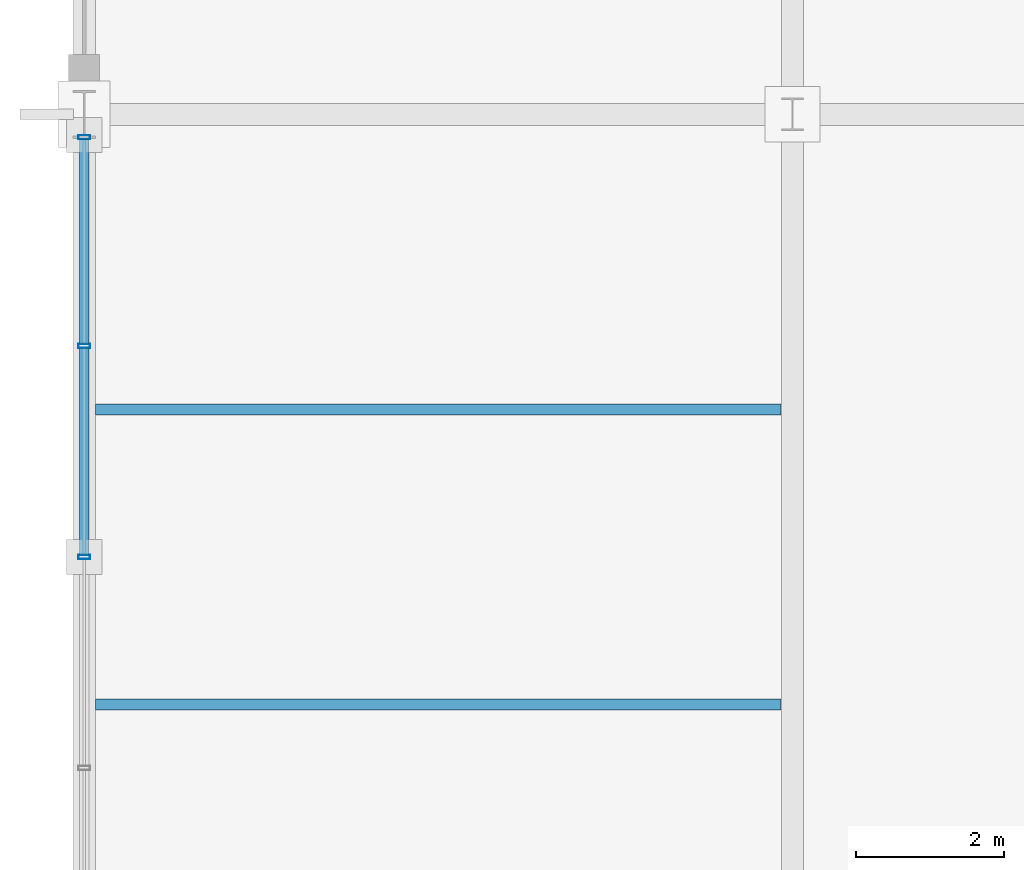
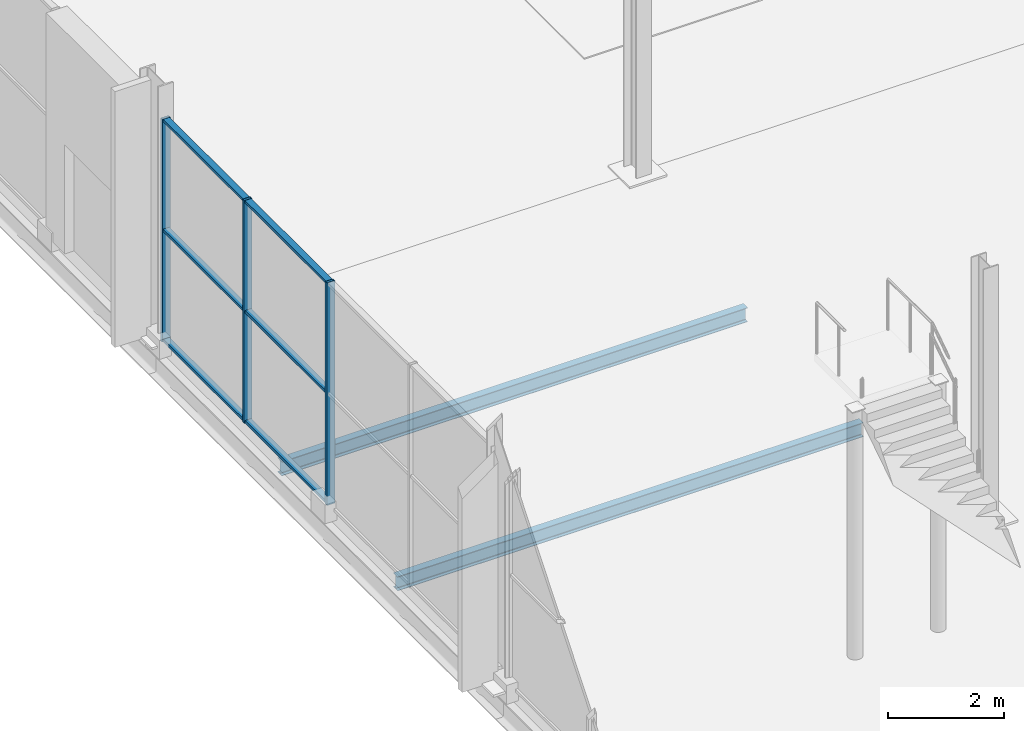
# One storey, part 52 of 196: 9 members, 2 beams, 1 element without a shape of its own.
"""IFC4 building model written with IfcOpenShell, lengths in metres."""

from ifc_helpers import new_model, si_unit, direction, frame, origin, origin_2d, place, context, subcontext, project, spatial, hollow_rectangle, i_section, extrude, material, material_profile, profile_set, type_object, element, aggregate, save


model = new_model("IFC4")

# Units and contexts
model_context = context("Model", 3, precision=1e-05, world=origin(), true_north=direction((0.0, 1.0)))
body_context = subcontext(model_context, "Body", "Model", "MODEL_VIEW")
ifc_project = project(units=[si_unit("LENGTHUNIT", "METRE"), si_unit("AREAUNIT", "SQUARE_METRE"), si_unit("VOLUMEUNIT", "CUBIC_METRE"), si_unit("PLANEANGLEUNIT", "RADIAN"), si_unit("MASSUNIT", "GRAM", prefix="KILO")], contexts=[model_context])

# Site, building, storey
site_placement = place(None, origin())
site = spatial("IfcSite", under=ifc_project, at=site_placement, CompositionType="ELEMENT")
building_placement = place(site_placement, origin())
building = spatial("IfcBuilding", under=site, at=building_placement, Name="Merenkruunu Market Hall", CompositionType="ELEMENT")
storey_placement = place(building_placement, origin())
storey = spatial("IfcBuildingStorey", under=building, at=storey_placement, Name="L00", CompositionType="ELEMENT", Elevation=0.0)

# Curtain wall, members
ifc_material_1 = material(Name="Powder-coated aluminium", Category="aluminium")
curtain_wall_type = type_object("IfcCurtainWallType", Name="Glazed Curtain Wall CW04", PredefinedType="USERDEFINED", material=ifc_material_1)
curtain_wall_placement = place(storey_placement, origin())
curtain_wall = element("IfcCurtainWall", 1, at=curtain_wall_placement, inside=storey, type_object=curtain_wall_type, Name="CW-L00-CWM01-010", ObjectType="GLAZED_FACADE", PredefinedType="USERDEFINED")
ifc_material_profile_1 = material_profile(ifc_material_1, hollow_rectangle(XDim=0.06005859375, YDim=0.159912109375, WallThickness=0.00390625, at=origin_2d()), Name="ALU 60x160x4")
ifc_profile_set_1 = profile_set([ifc_material_profile_1], Name="Powder-coated aluminium")
member_type_1 = type_object("IfcMemberType", Name="Curtain Wall Mullion CWM01", PredefinedType="MULLION", material=ifc_profile_set_1)
member_1_placement = place(storey_placement, frame((0.0, 57.60009765625, 0.0), z_axis=(0.0, 0.0, 1.0), x_axis=(0.0, 1.0, 0.0)))
member_1 = element("IfcMember", 2, at=member_1_placement, type_object=member_type_1, Name="CW04 mullion 3", PredefinedType="MULLION", context=body_context, shape_type="SweptSolid", body=[
    extrude(hollow_rectangle(XDim=0.06005859375, YDim=0.159912109375, WallThickness=0.00390625, at=origin_2d()), origin(), (0.0, 0.0, 1.0), 4.699951171875),
])
member_2_placement = place(storey_placement, frame((0.0, 60.4599609375, 0.0), z_axis=(0.0, 0.0, 1.0), x_axis=(0.0, 1.0, 0.0)))
member_2 = element("IfcMember", 3, at=member_2_placement, type_object=member_type_1, Name="CW04 mullion 4", PredefinedType="MULLION", context=body_context, shape_type="SweptSolid", body=[
    extrude(hollow_rectangle(XDim=0.06005859375, YDim=0.159912109375, WallThickness=0.00390625, at=origin_2d()), origin(), (0.0, 0.0, 1.0), 4.699951171875),
])
member_3_placement = place(storey_placement, frame((0.0, 63.2900390625, 0.0), z_axis=(0.0, 0.0, 1.0), x_axis=(0.0, 1.0, 0.0)))
member_3 = element("IfcMember", 4, at=member_3_placement, type_object=member_type_1, Name="CW04 mullion 5", PredefinedType="MULLION", context=body_context, shape_type="SweptSolid", body=[
    extrude(hollow_rectangle(XDim=0.06005859375, YDim=0.159912109375, WallThickness=0.00390625, at=origin_2d()), origin(), (0.0, 0.0, 1.0), 4.699951171875),
])
ifc_material_profile_2 = material_profile(ifc_material_1, hollow_rectangle(XDim=0.06005859375, YDim=0.125, WallThickness=0.00390625, at=origin_2d()), Name="ALU 60x125x4")
ifc_profile_set_2 = profile_set([ifc_material_profile_2], Name="Powder-coated aluminium")
member_type_2 = type_object("IfcMemberType", Name="Curtain Wall Transom CWT01", PredefinedType="USERDEFINED", material=ifc_profile_set_2)
member_4_placement = place(storey_placement, frame((0.0, 57.6298828125, 0.030029296875), z_axis=(0.0, 1.0, 0.0), x_axis=(0.0, 0.0, 1.0)))
member_4 = element("IfcMember", 5, at=member_4_placement, type_object=member_type_2, Name="CW04 transom 3.1", ObjectType="TRANSOM", PredefinedType="USERDEFINED", context=body_context, shape_type="SweptSolid", body=[
    extrude(hollow_rectangle(XDim=0.06005859375, YDim=0.125, WallThickness=0.00390625, at=origin_2d()), origin(), (0.0, 0.0, 1.0), 2.800048828125),
])
member_5_placement = place(storey_placement, frame((0.0, 57.6298828125, 2.35009765625), z_axis=(0.0, 1.0, 0.0), x_axis=(0.0, 0.0, 1.0)))
member_5 = element("IfcMember", 6, at=member_5_placement, type_object=member_type_2, Name="CW04 transom 3.2", ObjectType="TRANSOM", PredefinedType="USERDEFINED", context=body_context, shape_type="SweptSolid", body=[
    extrude(hollow_rectangle(XDim=0.06005859375, YDim=0.125, WallThickness=0.00390625, at=origin_2d()), origin(), (0.0, 0.0, 1.0), 2.800048828125),
])
member_6_placement = place(storey_placement, frame((0.0, 57.6298828125, 4.669921875), z_axis=(0.0, 1.0, 0.0), x_axis=(0.0, 0.0, 1.0)))
member_6 = element("IfcMember", 7, at=member_6_placement, type_object=member_type_2, Name="CW04 transom 3.3", ObjectType="TRANSOM", PredefinedType="USERDEFINED", context=body_context, shape_type="SweptSolid", body=[
    extrude(hollow_rectangle(XDim=0.06005859375, YDim=0.125, WallThickness=0.00390625, at=origin_2d()), origin(), (0.0, 0.0, 1.0), 2.800048828125),
])
member_7_placement = place(storey_placement, frame((0.0, 60.489990234375, 0.030029296875), z_axis=(0.0, 1.0, 0.0), x_axis=(0.0, 0.0, 1.0)))
member_7 = element("IfcMember", 8, at=member_7_placement, type_object=member_type_2, Name="CW04 transom 4.1", ObjectType="TRANSOM", PredefinedType="USERDEFINED", context=body_context, shape_type="SweptSolid", body=[
    extrude(hollow_rectangle(XDim=0.06005859375, YDim=0.125, WallThickness=0.00390625, at=origin_2d()), origin(), (0.0, 0.0, 1.0), 2.77001953125),
])
member_8_placement = place(storey_placement, frame((0.0, 60.489990234375, 2.35009765625), z_axis=(0.0, 1.0, 0.0), x_axis=(0.0, 0.0, 1.0)))
member_8 = element("IfcMember", 9, at=member_8_placement, type_object=member_type_2, Name="CW04 transom 4.2", ObjectType="TRANSOM", PredefinedType="USERDEFINED", context=body_context, shape_type="SweptSolid", body=[
    extrude(hollow_rectangle(XDim=0.06005859375, YDim=0.125, WallThickness=0.00390625, at=origin_2d()), origin(), (0.0, 0.0, 1.0), 2.77001953125),
])
member_9_placement = place(storey_placement, frame((0.0, 60.489990234375, 4.669921875), z_axis=(0.0, 1.0, 0.0), x_axis=(0.0, 0.0, 1.0)))
member_9 = element("IfcMember", 10, at=member_9_placement, type_object=member_type_2, Name="CW04 transom 4.3", ObjectType="TRANSOM", PredefinedType="USERDEFINED", context=body_context, shape_type="SweptSolid", body=[
    extrude(hollow_rectangle(XDim=0.06005859375, YDim=0.125, WallThickness=0.00390625, at=origin_2d()), origin(), (0.0, 0.0, 1.0), 2.77001953125),
])
aggregate(curtain_wall, [member_1, member_2, member_3, member_4, member_5, member_6, member_7, member_8, member_9])

# Beams
ifc_material_2 = material(Name="Steel S355J2", Category="steel")
ifc_material_profile_3 = material_profile(ifc_material_2, i_section(OverallWidth=0.14990234375, OverallDepth=0.300048828125, WebThickness=0.007080078125, FlangeThickness=0.0107421875, FilletRadius=0.014892578125, at=origin_2d()), Name="IPE 300")
ifc_profile_set_3 = profile_set([ifc_material_profile_3], Name="Steel S355J2")
beam_type = type_object("IfcBeamType", Name="Secondary Floor Joist J04", PredefinedType="JOIST", material=ifc_profile_set_3)
for number, where, z_axis, x_axis, name in (
    (11, (0.153076171875, 55.60009765625, -0.489990234375), (1.0, 0.0, 0.0), (0.0, 1.0, 0.0), "BM-L00-J04-0280"),
    (12, (0.153076171875, 59.60009765625, -0.489990234375), (1.0, 0.0, 0.0), (0.0, 1.0, 0.0), "BM-L00-J04-0281"),
):
    element("IfcBeam", number, at=place(storey_placement, frame(where, z_axis=z_axis, x_axis=x_axis)), inside=storey, type_object=beam_type, Name=name, PredefinedType="JOIST", context=body_context, shape_type="SweptSolid", body=[
        extrude(i_section(OverallWidth=0.14990234375, OverallDepth=0.300048828125, WebThickness=0.007080078125, FlangeThickness=0.0107421875, FilletRadius=0.014892578125, at=origin_2d()), origin(), (0.0, 0.0, 1.0), 9.2939453125),
    ])

save(model, "model.ifc")
